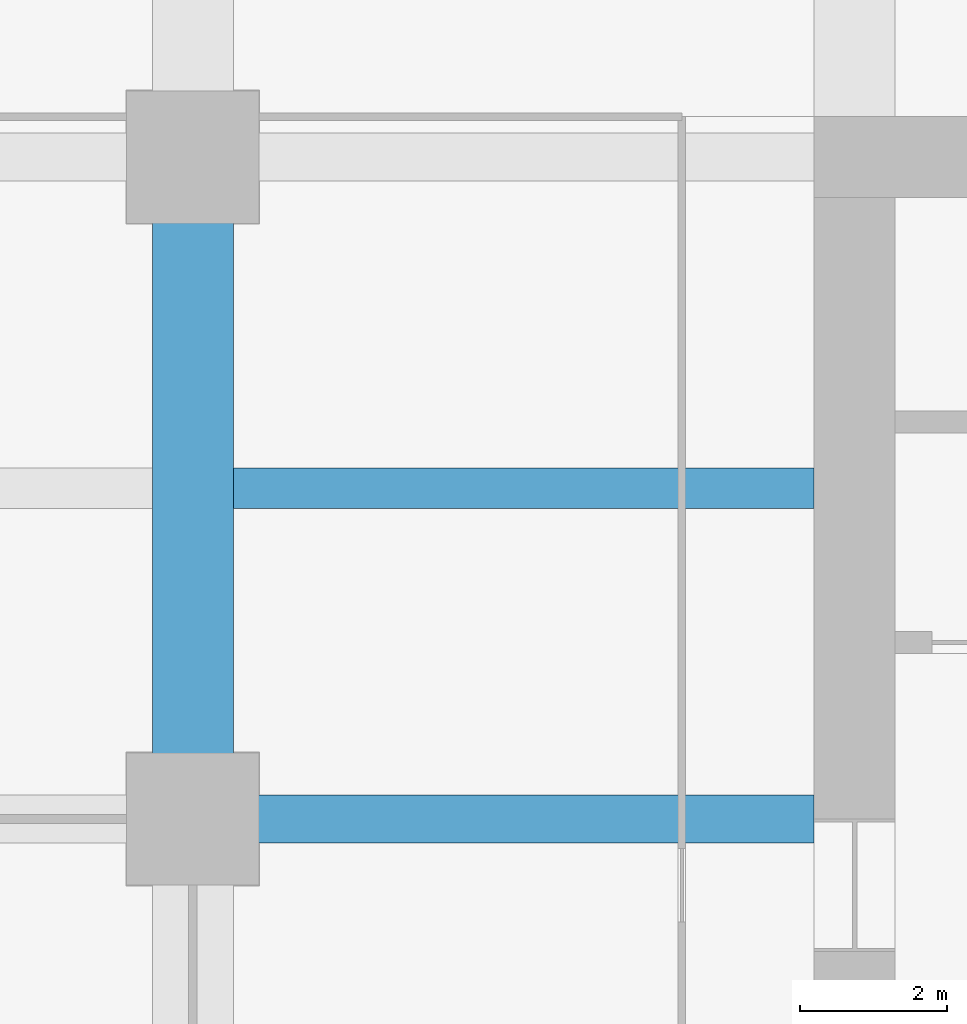
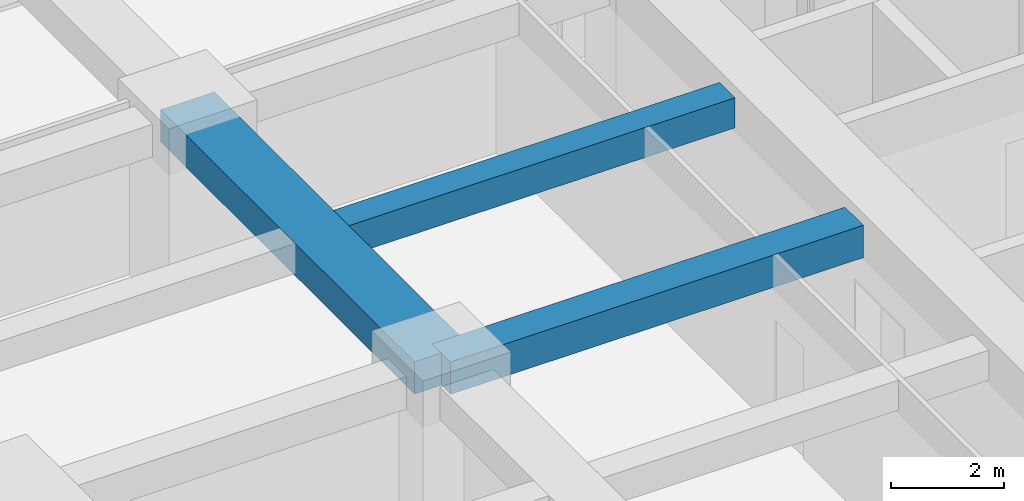
# One storey, part 12 of 40: 3 beams.
"""IFC4 building model written with IfcOpenShell, lengths in metres."""

import ifcopenshell
import ifcopenshell.guid

model = None  # the IFC model being written
_history = None  # IfcOwnerHistory: only IFC2X3 demands one
_inside = {}  # id of a spatial element -> (the spatial element, [elements in it])
_under = {}  # id of a project, library or spatial element -> (it, [spatial elements below it])
_declared = {}  # id of a project -> (the project, [libraries it declares])
_typed = {}  # id of a type object -> (the type object, [elements of that type])
_made_of = {}  # id of a material, layer set ... -> (it, [elements and type objects made of it])


def new_model(schema):
    """Start an empty IFC model of exactly this schema.

    Asked for "IFC4X3", IfcOpenShell would pick the latest addendum, in which some entities
    have other attributes; the version numbers below select the first issue.
    IFC2X3 requires an IfcOwnerHistory on every rooted entity: one is made here for all.
    """
    global model, _history
    if schema == "IFC4X3":
        model = ifcopenshell.file(schema_version=(4, 3, 0, 0))
    else:
        model = ifcopenshell.file(schema=schema)
    _inside.clear()
    _under.clear()
    _declared.clear()
    _typed.clear()
    _made_of.clear()
    _history = None
    if model.schema == "IFC2X3":
        org = make("IfcOrganization", Name="unknown")
        user = make(
            "IfcPersonAndOrganization",
            ThePerson=make("IfcPerson", FamilyName="unknown"),
            TheOrganization=org,
        )
        app = make(
            "IfcApplication",
            ApplicationDeveloper=org,
            Version="unknown",
            ApplicationFullName="unknown",
            ApplicationIdentifier="unknown",
        )
        _history = make(
            "IfcOwnerHistory",
            OwningUser=user,
            OwningApplication=app,
            ChangeAction="ADDED",
            CreationDate=0,
        )
    return model


def make(cls, **values):
    """One entity of the class cls with the attributes given. An attribute that is None is left unset."""
    return model.create_entity(
        cls, **{name: value for name, value in values.items() if value is not None}
    )


def rooted(cls, **values):
    """An entity with a GlobalId (a new one), such as an element, a storey or a relation."""
    return make(cls, GlobalId=ifcopenshell.guid.new(), OwnerHistory=_history, **values)


def si_unit(unit_type, name, prefix=None):
    """IfcSIUnit, for example si_unit("LENGTHUNIT", "METRE", prefix="MILLI")."""
    return make("IfcSIUnit", UnitType=unit_type, Prefix=prefix, Name=name)


def assignment(units):
    """IfcUnitAssignment: the units of a project."""
    return None if units is None else make("IfcUnitAssignment", Units=units)


def point(xyz):
    """IfcCartesianPoint."""
    return None if xyz is None else make("IfcCartesianPoint", Coordinates=xyz)


def direction(xyz):
    """IfcDirection."""
    return None if xyz is None else make("IfcDirection", DirectionRatios=xyz)


def frame(location, z_axis=None, x_axis=None):
    """IfcAxis2Placement3D, a coordinate frame: its origin and axes. An axis left out is left unset."""
    return make(
        "IfcAxis2Placement3D",
        Location=point(location),
        Axis=direction(z_axis),
        RefDirection=direction(x_axis),
    )


def frame_2d(location, x_axis=None):
    """IfcAxis2Placement2D, a coordinate frame in the plane: its origin and x axis."""
    return make(
        "IfcAxis2Placement2D", Location=point(location), RefDirection=direction(x_axis)
    )


def origin():
    """The frame at (0, 0, 0) with its axes left unset."""
    return frame((0.0, 0.0, 0.0))


def origin_2d():
    """The frame at (0, 0) in the plane with its x axis left unset."""
    return frame_2d((0.0, 0.0))


def place(relative_to, where):
    """IfcLocalPlacement: puts the frame where relative to a parent placement (None: the world)."""
    return make(
        "IfcLocalPlacement", PlacementRelTo=relative_to, RelativePlacement=where
    )


def context(
    kind, dimensions, precision=None, world=None, true_north=None, identifier=None
):
    """IfcGeometricRepresentationContext, for example the 3D "Model" context."""
    return make(
        "IfcGeometricRepresentationContext",
        ContextIdentifier=identifier,
        ContextType=kind,
        CoordinateSpaceDimension=dimensions,
        Precision=precision,
        WorldCoordinateSystem=world,
        TrueNorth=true_north,
    )


def subcontext(parent, identifier, kind, view, scale=None):
    """IfcGeometricRepresentationSubContext, for example "Body" below "Model"."""
    return make(
        "IfcGeometricRepresentationSubContext",
        ContextIdentifier=identifier,
        ContextType=kind,
        ParentContext=parent,
        TargetScale=scale,
        TargetView=view,
    )


def project(units=None, contexts=None):
    """IfcProject with its units and contexts."""
    return rooted(
        "IfcProject",
        Name="project",
        RepresentationContexts=contexts,
        UnitsInContext=assignment(units),
    )


def spatial(cls, under=None, at=None, **own):
    """A site, building, storey or space (cls), placed at a placement, below another one or the project."""
    s = rooted(cls, ObjectPlacement=at, **own)
    if under is not None:
        _under.setdefault(under.id(), (under, []))[1].append(s)
    return s


def profile(cls, at=None, kind="AREA", **sizes):
    """A parametric profile (cls). Its sizes go by their IFC names, for example OverallWidth=200.0."""
    return make(cls, ProfileType=kind, Position=at, **sizes)


def rectangle(**sizes):
    """IfcRectangleProfileDef."""
    return profile("IfcRectangleProfileDef", **sizes)


def extrude(swept, where, along, depth):
    """IfcExtrudedAreaSolid: the profile swept, set in the frame where, extruded along a direction by depth."""
    return make(
        "IfcExtrudedAreaSolid",
        SweptArea=swept,
        Position=where,
        ExtrudedDirection=direction(along),
        Depth=depth,
    )


def shape(context_of_items, identifier, shape_type, items):
    """IfcShapeRepresentation: the items that make up one representation, for example the "Body"."""
    return make(
        "IfcShapeRepresentation",
        ContextOfItems=context_of_items,
        RepresentationIdentifier=identifier,
        RepresentationType=shape_type,
        Items=items,
    )


def material(Name=None, Category=None):
    """IfcMaterial."""
    return make("IfcMaterial", Name=Name, Category=Category)


def material_profile(
    of_material, cross_section, Name=None, Category=None, Priority=None
):
    """IfcMaterialProfile: a cross section and its material."""
    return make(
        "IfcMaterialProfile",
        Name=Name,
        Material=of_material,
        Profile=cross_section,
        Priority=Priority,
        Category=Category,
    )


def profile_set(profiles, Name=None, composite=None):
    """IfcMaterialProfileSet."""
    return make(
        "IfcMaterialProfileSet",
        Name=Name,
        MaterialProfiles=profiles,
        CompositeProfile=composite,
    )


def made_of(thing, what):
    """Note that an element or type object is made of a material, layer set ...; save() writes the relation."""
    if what is not None:
        _made_of.setdefault(what.id(), (what, []))[1].append(thing)
    return thing


def type_object(cls, material=None, **own):
    """A type object (cls), such as IfcWallType, which elements share."""
    return made_of(rooted(cls, **own), material)


def element(
    cls,
    number,
    at=None,
    inside=None,
    cuts=None,
    type_object=None,
    material=None,
    context=None,
    identifier="Body",
    shape_type=None,
    held_by="IfcProductDefinitionShape",
    body=None,
    shapes=None,
    **own,
):
    """One element of the class cls, such as IfcWall. Its Tag is "e" and its number.

    at: its placement. inside: the storey or other place that contains it. cuts: it is an
    opening in that element (IfcRelVoidsElement). A single representation is given by context,
    identifier, shape_type and body (its items); several are given by shapes. held_by: the class
    of the entity that holds the representations. save() writes the other relations.
    """
    e = rooted(cls, Tag="e%d" % number, ObjectPlacement=at, **own)
    if body is not None:
        shapes = [shape(context, identifier, shape_type, body)]
    if shapes is not None:
        e.Representation = make(held_by, Representations=shapes)
    if inside is not None:
        _inside.setdefault(inside.id(), (inside, []))[1].append(e)
    if cuts is not None:
        rooted(
            "IfcRelVoidsElement", RelatingBuildingElement=cuts, RelatedOpeningElement=e
        )
    if type_object is not None:
        _typed.setdefault(type_object.id(), (type_object, []))[1].append(e)
    return made_of(e, material)


def aggregate(whole, parts):
    """IfcRelAggregates: a whole, such as a stair, and the parts it consists of."""
    return rooted("IfcRelAggregates", RelatingObject=whole, RelatedObjects=parts)


def save(model, path):
    """Write the relations noted so far, then the file.

    IfcRelAggregates (storeys below a building ...), IfcRelContainedInSpatialStructure (elements
    in a storey), IfcRelDefinesByType, IfcRelAssociatesMaterial and IfcRelDeclares: one each for
    every whole, place, type object, material and project.
    """
    for whole, parts in _under.values():
        aggregate(whole, parts)
    for where, things in _inside.values():
        rooted(
            "IfcRelContainedInSpatialStructure",
            RelatedElements=things,
            RelatingStructure=where,
        )
    for kind, things in _typed.values():
        rooted("IfcRelDefinesByType", RelatedObjects=things, RelatingType=kind)
    for what, things in _made_of.values():
        rooted("IfcRelAssociatesMaterial", RelatedObjects=things, RelatingMaterial=what)
    for by, libraries in _declared.values():
        rooted("IfcRelDeclares", RelatingContext=by, RelatedDefinitions=libraries)
    model.write(path)


model = new_model("IFC4")

# Units and contexts
model_context = context("Model", 3, precision=1e-05, world=origin(), true_north=direction((0.0, 1.0)))
body_context = subcontext(model_context, "Body", "Model", "MODEL_VIEW")
ifc_project = project(units=[si_unit("LENGTHUNIT", "METRE"), si_unit("AREAUNIT", "SQUARE_METRE"), si_unit("VOLUMEUNIT", "CUBIC_METRE"), si_unit("PLANEANGLEUNIT", "RADIAN"), si_unit("MASSUNIT", "GRAM", prefix="KILO")], contexts=[model_context])

# Site, building, storey
site_placement = place(None, origin())
site = spatial("IfcSite", under=ifc_project, at=site_placement, CompositionType="ELEMENT")
building_placement = place(site_placement, origin())
building = spatial("IfcBuilding", under=site, at=building_placement, Name="Zorevar Civic Tower", CompositionType="ELEMENT")
storey_placement = place(building_placement, frame((0.0, 0.0, 129.0)))
storey = spatial("IfcBuildingStorey", under=building, at=storey_placement, Name="L31", CompositionType="ELEMENT", Elevation=129.0)

# Beams
ifc_material_1 = material(Name="Concrete C50/60", Category="concrete")
ifc_material_profile_1 = material_profile(ifc_material_1, rectangle(XDim=1.10009765625, YDim=0.699951171875, at=origin_2d()), Name="RC 1100x700")
ifc_profile_set_1 = profile_set([ifc_material_profile_1], Name="Concrete C50/60")
beam_type_1 = type_object("IfcBeamType", Name="Beam RC 1100x700", PredefinedType="BEAM", material=ifc_profile_set_1)
beam_1_placement = place(storey_placement, frame((9.0, 27.0, 3.39990234375), z_axis=(0.0, 1.0, 0.0), x_axis=(-1.0, 0.0, 0.0)))
element("IfcBeam", 1, at=beam_1_placement, inside=storey, type_object=beam_type_1, Name="Girder L32", PredefinedType="BEAM", context=body_context, shape_type="SweptSolid", body=[
    extrude(rectangle(XDim=1.10009765625, YDim=0.699951171875, at=origin_2d()), origin(), (0.0, 0.0, 1.0), 9.0),
])
ifc_material_2 = material(Name="Concrete C50/60", Category="concrete")
ifc_material_profile_2 = material_profile(ifc_material_2, rectangle(XDim=0.550048828125, YDim=0.64990234375, at=origin_2d()), Name="RC 550x650")
ifc_profile_set_2 = profile_set([ifc_material_profile_2], Name="Concrete C50/60")
beam_type_2 = type_object("IfcBeamType", Name="Beam RC 550x650", PredefinedType="BEAM", material=ifc_profile_set_2)
beam_2_placement = place(storey_placement, frame((9.550048828125, 31.5, 3.425048828125), z_axis=(1.0, 0.0, 0.0), x_axis=(0.0, 1.0, 0.0)))
element("IfcBeam", 2, at=beam_2_placement, inside=storey, type_object=beam_type_2, Name="Secondary beam L32", PredefinedType="BEAM", context=body_context, shape_type="SweptSolid", body=[
    extrude(rectangle(XDim=0.550048828125, YDim=0.64990234375, at=origin_2d()), origin(), (0.0, 0.0, 1.0), 7.89990234375),
])
ifc_material_3 = material(Name="Concrete C50/60", Category="concrete")
ifc_material_profile_3 = material_profile(ifc_material_3, rectangle(XDim=0.64990234375, YDim=0.699951171875, at=origin_2d()), Name="RC 650x700")
ifc_profile_set_3 = profile_set([ifc_material_profile_3], Name="Concrete C50/60")
beam_type_3 = type_object("IfcBeamType", Name="Beam RC 650x700", PredefinedType="BEAM", material=ifc_profile_set_3)
beam_3_placement = place(storey_placement, frame((9.0, 27.0, 3.39990234375), z_axis=(1.0, 0.0, 0.0), x_axis=(0.0, 1.0, 0.0)))
element("IfcBeam", 3, at=beam_3_placement, inside=storey, type_object=beam_type_3, Name="Girder L32", PredefinedType="BEAM", context=body_context, shape_type="SweptSolid", body=[
    extrude(rectangle(XDim=0.64990234375, YDim=0.699951171875, at=origin_2d()), origin(), (0.0, 0.0, 1.0), 8.449951171875),
])

save(model, "model.ifc")
